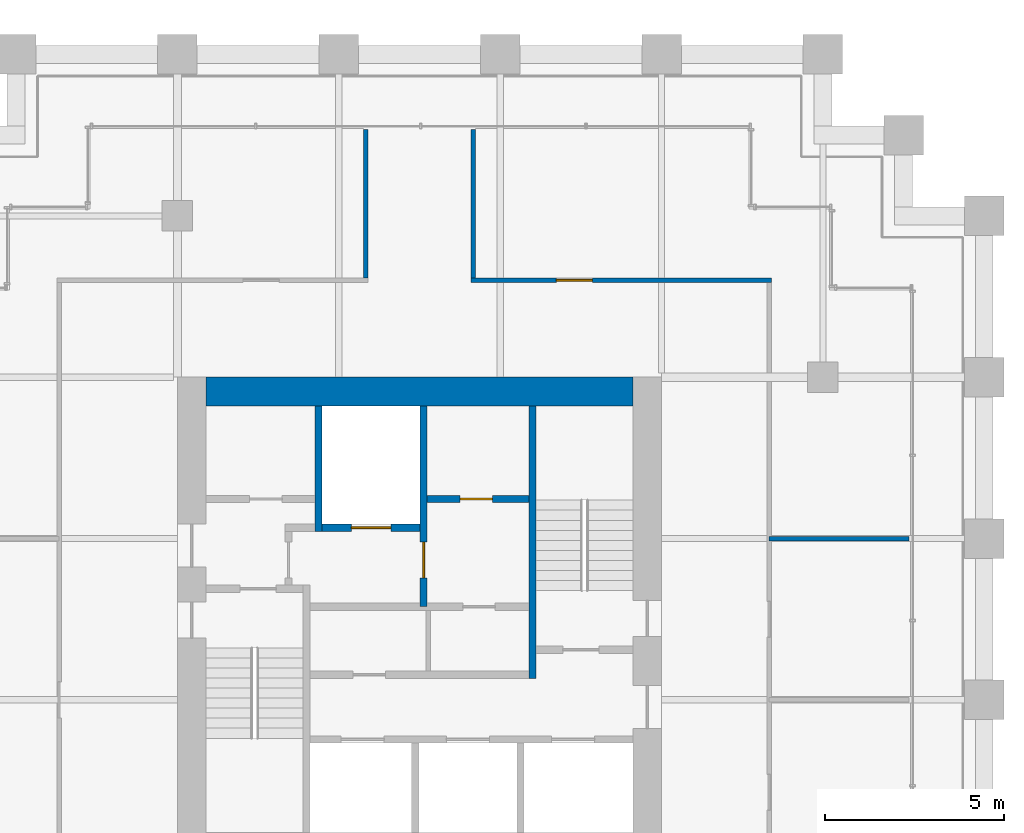
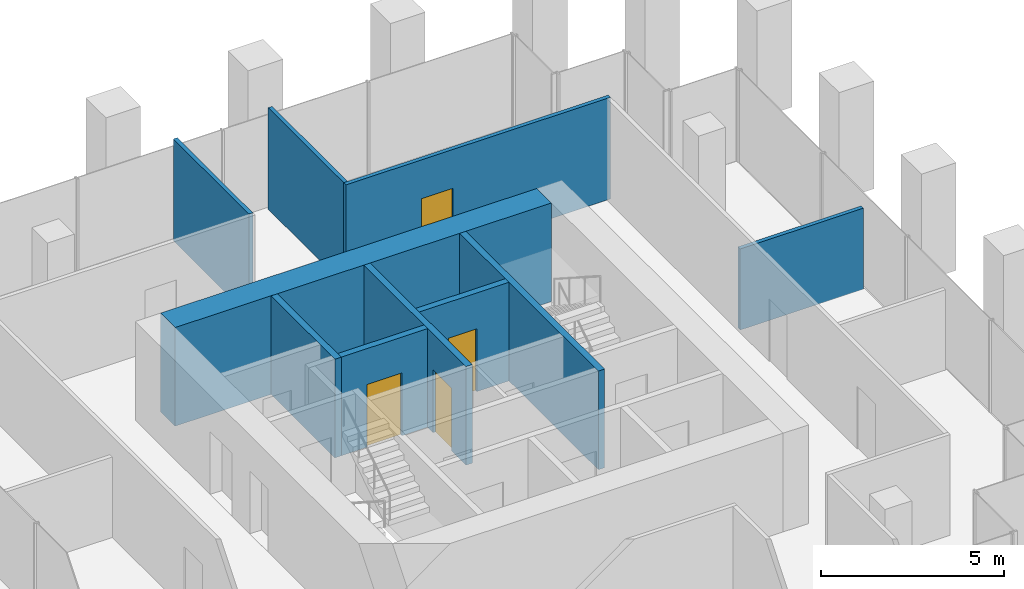
# One storey, part 53 of 56: 10 walls, 4 doors, 4 openings.
"""IFC4 building model written with IfcOpenShell, lengths in metres."""

from ifc_helpers import new_model, si_unit, direction, frame, frame_2d, origin, place, context, subcontext, project, spatial, rectangle, extrude, material, layer, layer_set, type_object, element, fill, save


model = new_model("IFC4")

# Units and contexts
model_context = context("Model", 3, precision=1e-05, world=origin(), true_north=direction((0.0, 1.0)))
body_context = subcontext(model_context, "Body", "Model", "MODEL_VIEW")
ifc_project = project(units=[si_unit("LENGTHUNIT", "METRE"), si_unit("AREAUNIT", "SQUARE_METRE"), si_unit("VOLUMEUNIT", "CUBIC_METRE"), si_unit("PLANEANGLEUNIT", "RADIAN"), si_unit("MASSUNIT", "GRAM", prefix="KILO")], contexts=[model_context])

# Site, building, storey
site_placement = place(None, origin())
site = spatial("IfcSite", under=ifc_project, at=site_placement, CompositionType="ELEMENT")
building_placement = place(site_placement, origin())
building = spatial("IfcBuilding", under=site, at=building_placement, Name="Altepetl Exchange Towers", CompositionType="ELEMENT")
storey_placement = place(building_placement, frame((0.0, 0.0, 83.39990234375)))
storey = spatial("IfcBuildingStorey", under=building, at=storey_placement, Name="L20", CompositionType="ELEMENT", Elevation=83.39990234375)

# Walls
ifc_material_1 = material(Name="Concrete C70/85", Category="concrete")
ifc_layer_1 = layer(ifc_material_1, 0.800048828125)
ifc_layer_set_1 = layer_set([ifc_layer_1], Name="Concrete C70/85")
wall_type_1 = type_object("IfcWallType", Name="Core wall 800 reinforced concrete", PredefinedType="SHEAR", material=ifc_layer_set_1)
wall_1_placement = place(storey_placement, frame((104.300048828125, 49.10009765625, 0.0)))
element("IfcWall", 1, at=wall_1_placement, inside=storey, type_object=wall_type_1, Name="wall:B:L20:K-coreN", PredefinedType="SHEAR", context=body_context, shape_type="SweptSolid", body=[
    extrude(rectangle(XDim=11.89990234375, YDim=0.800048828125, at=frame_2d((5.949951171875, 0.0))), origin(), (0.0, 0.0, 1.0), 3.300048828125),
])
ifc_material_2 = material(Name="Gypsum board on steel studs", Category="steel")
ifc_layer_2 = layer(ifc_material_2, 0.125)
ifc_layer_set_2 = layer_set([ifc_layer_2], Name="Gypsum board on steel studs")
wall_type_2 = type_object("IfcWallType", Name="Partition 125 gypsum board on steel studs", PredefinedType="PARTITIONING", material=ifc_layer_set_2)
wall_2_placement = place(storey_placement, frame((120.0, 45.0, 0.0)))
element("IfcWall", 2, at=wall_2_placement, inside=storey, type_object=wall_type_2, Name="wall:B:L20:P07", PredefinedType="PARTITIONING", context=body_context, shape_type="SweptSolid", body=[
    extrude(rectangle(XDim=3.89990234375, YDim=0.125, at=frame_2d((1.949951171875, 0.0))), origin(), (0.0, 0.0, 1.0), 2.712158203125),
])

# Wall, opening, door
wall_3_placement = place(storey_placement, frame((111.6875, 52.199951171875, 0.0)))
wall_3 = element("IfcWall", 3, at=wall_3_placement, inside=storey, type_object=wall_type_2, Name="wall:B:L20:P09", PredefinedType="PARTITIONING", context=body_context, shape_type="SweptSolid", body=[
    extrude(rectangle(XDim=8.375, YDim=0.125, at=frame_2d((4.1875, 0.0))), origin(), (0.0, 0.0, 1.0), 3.400146484375),
])
opening_1_placement = place(wall_3_placement, frame((2.381591796875, 0.0, 0.0)))
opening_1 = element("IfcOpeningElement", 4, at=opening_1_placement, cuts=wall_3, Name="Opening L20.B05", PredefinedType="OPENING", context=body_context, shape_type="SweptSolid", body=[
    extrude(rectangle(XDim=1.0, YDim=2.10009765625, at=frame_2d((0.5, 1.050048828125))), frame((0.0, 0.072509765625, 0.0), z_axis=(0.0, -1.0, 0.0), x_axis=(1.0, 0.0, 0.0)), (0.0, 0.0, 1.0), 0.14501953125),
])
ifc_material_3 = material(Name="Steel and timber fire door", Category="steel")
door_type_1 = type_object("IfcDoorType", Name="Fire door 1000 x 2100 single leaf", OperationType="SINGLE_SWING_LEFT", PredefinedType="DOOR", material=ifc_material_3)
door_1_placement = place(opening_1_placement, frame((1.0, 0.0, 0.0), x_axis=(-1.0, 0.0, 0.0)))
door_1 = element("IfcDoor", 5, at=door_1_placement, inside=storey, type_object=door_type_1, Name="door:B:L20:05", OperationType="SINGLE_SWING_RIGHT", OverallHeight=2.10009765625, OverallWidth=1.0, PredefinedType="DOOR", context=body_context, shape_type="SweptSolid", body=[
    extrude(rectangle(XDim=1.0, YDim=2.10009765625, at=frame_2d((0.5, 1.050048828125))), frame((0.0, 0.02490234375, 0.0), z_axis=(0.0, -1.0, 0.0), x_axis=(1.0, 0.0, 0.0)), (0.0, 0.0, 1.0), 0.050048828125),
])
fill(opening_1, door_1)

# Walls
for number, where, z_axis, x_axis, name in (
    (6, (108.75, 52.262451171875, 0.0), (0.0, 0.0, 1.0), (0.0, 1.0, 0.0), "wall:B:L20:P11"),
    (7, (111.75, 52.262451171875, 0.0), (0.0, 0.0, 1.0), (0.0, 1.0, 0.0), "wall:B:L20:P12"),
):
    element("IfcWall", number, at=place(storey_placement, frame(where, z_axis=z_axis, x_axis=x_axis)), inside=storey, type_object=wall_type_2, Name=name, PredefinedType="PARTITIONING", context=body_context, shape_type="SweptSolid", body=[
        extrude(rectangle(XDim=4.137451171875, YDim=0.125, at=frame_2d((2.06884765625, 0.0))), origin(), (0.0, 0.0, 1.0), 3.400146484375),
    ])
ifc_material_4 = material(Name="Concrete C40/50", Category="concrete")
ifc_layer_3 = layer(ifc_material_4, 0.199951171875)
ifc_layer_set_3 = layer_set([ifc_layer_3], Name="Concrete C40/50")
wall_type_3 = type_object("IfcWallType", Name="Shaft wall 200 reinforced concrete", PredefinedType="SHEAR", material=ifc_layer_set_3)
wall_4_placement = place(storey_placement, frame((107.433349609375, 48.699951171875, 0.0), z_axis=(0.0, 0.0, 1.0), x_axis=(0.0, -1.0, 0.0)))
element("IfcWall", 8, at=wall_4_placement, inside=storey, type_object=wall_type_3, Name="wall:B:L20:K-divN1", PredefinedType="SHEAR", context=body_context, shape_type="SweptSolid", body=[
    extrude(rectangle(XDim=3.5, YDim=0.199951171875, at=frame_2d((1.75, 0.0))), origin(), (0.0, 0.0, 1.0), 3.300048828125),
])

# Wall, opening, door
wall_5_placement = place(storey_placement, frame((110.36669921875, 48.699951171875, 0.0), z_axis=(0.0, 0.0, 1.0), x_axis=(0.0, -1.0, 0.0)))
wall_5 = element("IfcWall", 9, at=wall_5_placement, inside=storey, type_object=wall_type_3, Name="wall:B:L20:K-divN2", PredefinedType="SHEAR", context=body_context, shape_type="SweptSolid", body=[
    extrude(rectangle(XDim=5.599853515625, YDim=0.199951171875, at=frame_2d((2.7998046875, 0.0))), origin(), (0.0, 0.0, 1.0), 3.300048828125),
])
opening_2_placement = place(wall_5_placement, frame((3.800048828125, 0.0, 0.0)))
opening_2 = element("IfcOpeningElement", 10, at=opening_2_placement, cuts=wall_5, Name="Opening L20.B66", PredefinedType="OPENING", context=body_context, shape_type="SweptSolid", body=[
    extrude(rectangle(XDim=1.0, YDim=2.10009765625, at=frame_2d((0.5, 1.050048828125))), frame((0.0, 0.10986328125, 0.0), z_axis=(0.0, -1.0, 0.0), x_axis=(1.0, 0.0, 0.0)), (0.0, 0.0, 1.0), 0.219970703125),
])
door_type_2 = type_object("IfcDoorType", Name="Fire door 1000 x 2100 stair and lobby", OperationType="SINGLE_SWING_LEFT", PredefinedType="DOOR", material=ifc_material_3)
door_2_placement = place(opening_2_placement, frame((1.0, 0.0, 0.0), x_axis=(-1.0, 0.0, 0.0)))
door_2 = element("IfcDoor", 11, at=door_2_placement, inside=storey, type_object=door_type_2, Name="door:B:L20:K-dffE", OperationType="SINGLE_SWING_RIGHT", OverallHeight=2.10009765625, OverallWidth=1.0, PredefinedType="DOOR", context=body_context, shape_type="SweptSolid", body=[
    extrude(rectangle(XDim=1.0, YDim=2.10009765625, at=frame_2d((0.5, 1.050048828125))), frame((0.0, 0.02490234375, 0.0), z_axis=(0.0, -1.0, 0.0), x_axis=(1.0, 0.0, 0.0)), (0.0, 0.0, 1.0), 0.050048828125),
])
fill(opening_2, door_2)

wall_6_placement = place(storey_placement, frame((110.466796875, 46.10009765625, 0.0)))
wall_6 = element("IfcWall", 12, at=wall_6_placement, inside=storey, type_object=wall_type_3, Name="wall:B:L20:K-frontNb", PredefinedType="SHEAR", context=body_context, shape_type="SweptSolid", body=[
    extrude(rectangle(XDim=2.833251953125, YDim=0.199951171875, at=frame_2d((1.41650390625, 0.0))), origin(), (0.0, 0.0, 1.0), 3.300048828125),
])
opening_3_placement = place(wall_6_placement, frame((0.91650390625, 0.0, 0.0)))
opening_3 = element("IfcOpeningElement", 13, at=opening_3_placement, cuts=wall_6, Name="Opening L20.B69", PredefinedType="OPENING", context=body_context, shape_type="SweptSolid", body=[
    extrude(rectangle(XDim=0.89990234375, YDim=2.10009765625, at=frame_2d((0.449951171875, 1.050048828125))), frame((0.0, 0.10986328125, 0.0), z_axis=(0.0, -1.0, 0.0), x_axis=(1.0, 0.0, 0.0)), (0.0, 0.0, 1.0), 0.219970703125),
])
door_type_3 = type_object("IfcDoorType", Name="Fire door 900 x 2100 service room", OperationType="SINGLE_SWING_LEFT", PredefinedType="DOOR", material=ifc_material_3)
door_3_placement = place(opening_3_placement, origin())
door_3 = element("IfcDoor", 14, at=door_3_placement, inside=storey, type_object=door_type_3, Name="door:B:L20:K-dslotN2", OperationType="SINGLE_SWING_RIGHT", OverallHeight=2.10009765625, OverallWidth=0.89990234375, PredefinedType="DOOR", context=body_context, shape_type="SweptSolid", body=[
    extrude(rectangle(XDim=0.89990234375, YDim=2.10009765625, at=frame_2d((0.449951171875, 1.050048828125))), frame((0.0, 0.02490234375, 0.0), z_axis=(0.0, -1.0, 0.0), x_axis=(1.0, 0.0, 0.0)), (0.0, 0.0, 1.0), 0.050048828125),
])
fill(opening_3, door_3)

wall_7_placement = place(storey_placement, frame((107.533203125, 45.300048828125, 0.0)))
wall_7 = element("IfcWall", 15, at=wall_7_placement, inside=storey, type_object=wall_type_3, Name="wall:B:L20:K-frontNd", PredefinedType="SHEAR", context=body_context, shape_type="SweptSolid", body=[
    extrude(rectangle(XDim=2.7333984375, YDim=0.199951171875, at=frame_2d((1.36669921875, 0.0))), origin(), (0.0, 0.0, 1.0), 3.300048828125),
])
opening_4_placement = place(wall_7_placement, frame((0.816650390625, 0.0, 0.0)))
opening_4 = element("IfcOpeningElement", 16, at=opening_4_placement, cuts=wall_7, Name="Opening L20.B72", PredefinedType="OPENING", context=body_context, shape_type="SweptSolid", body=[
    extrude(rectangle(XDim=1.10009765625, YDim=2.10009765625, at=frame_2d((0.550048828125, 1.050048828125))), frame((0.0, 0.10986328125, 0.0), z_axis=(0.0, -1.0, 0.0), x_axis=(1.0, 0.0, 0.0)), (0.0, 0.0, 1.0), 0.219970703125),
])
ifc_material_5 = material(Name="Stainless steel", Category="steel")
door_type_4 = type_object("IfcDoorType", Name="Lift landing door 1100 x 2100", OperationType="SLIDING_TO_LEFT", PredefinedType="DOOR", material=ifc_material_5)
door_4_placement = place(opening_4_placement, origin())
door_4 = element("IfcDoor", 17, at=door_4_placement, inside=storey, type_object=door_type_4, Name="Landing door FFL1", OperationType="SLIDING_TO_LEFT", OverallHeight=2.10009765625, OverallWidth=1.10009765625, PredefinedType="DOOR", context=body_context, shape_type="SweptSolid", body=[
    extrude(rectangle(XDim=1.10009765625, YDim=2.10009765625, at=frame_2d((0.550048828125, 1.050048828125))), frame((0.0, 0.02490234375, 0.0), z_axis=(0.0, -1.0, 0.0), x_axis=(1.0, 0.0, 0.0)), (0.0, 0.0, 1.0), 0.050048828125),
])
fill(opening_4, door_4)

# Wall
ifc_layer_4 = layer(ifc_material_4, 0.199951171875)
ifc_layer_set_4 = layer_set([ifc_layer_4], Name="Concrete C40/50")
wall_type_4 = type_object("IfcWallType", Name="Stair wall 200 reinforced concrete", PredefinedType="SHEAR", material=ifc_layer_set_4)
wall_8_placement = place(storey_placement, frame((113.39990234375, 41.10009765625, 0.0), z_axis=(0.0, 0.0, 1.0), x_axis=(0.0, 1.0, 0.0)))
element("IfcWall", 18, at=wall_8_placement, inside=storey, type_object=wall_type_4, Name="wall:B:L20:K-stS2W", PredefinedType="SHEAR", context=body_context, shape_type="SweptSolid", body=[
    extrude(rectangle(XDim=7.599853515625, YDim=0.199951171875, at=frame_2d((3.7998046875, 0.0))), origin(), (0.0, 0.0, 1.0), 3.300048828125),
])

save(model, "model.ifc")
